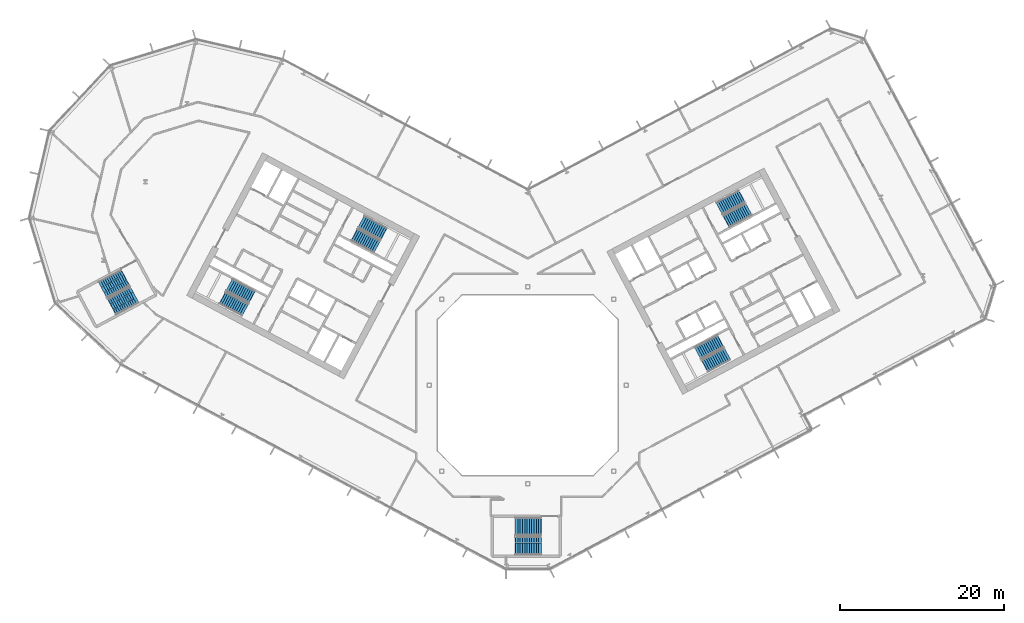
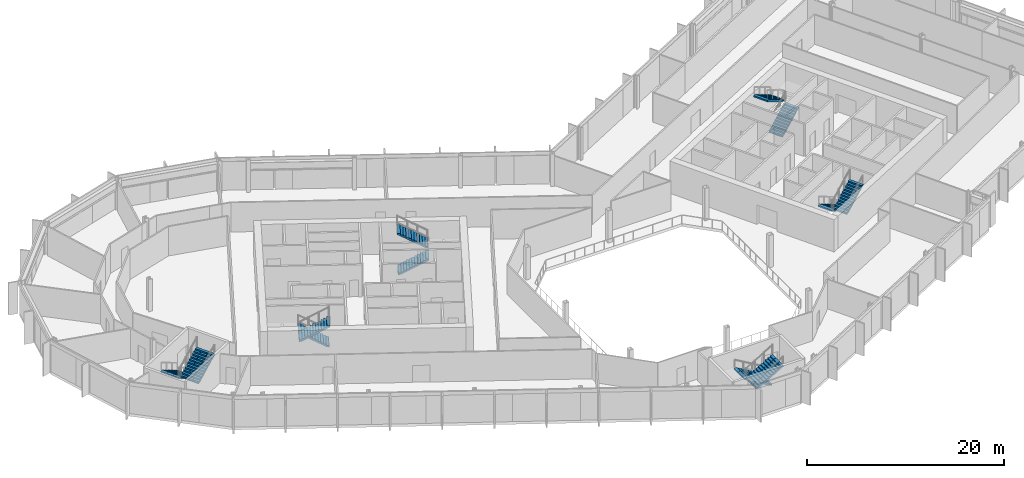
# One storey, part 18 of 28: 12 stair flights, 6 elements without a shape of their own.
"""IFC4 building model written with IfcOpenShell, lengths in metres."""

from ifc_helpers import new_model, si_unit, direction, frame, origin, place, context, subcontext, project, spatial, polyline, outline, extrude, material, type_object, element, aggregate, save


model = new_model("IFC4")

# Units and contexts
model_context = context("Model", 3, precision=1e-05, world=origin(), true_north=direction((0.0, 1.0)))
body_context = subcontext(model_context, "Body", "Model", "MODEL_VIEW")
ifc_project = project(units=[si_unit("LENGTHUNIT", "METRE"), si_unit("AREAUNIT", "SQUARE_METRE"), si_unit("VOLUMEUNIT", "CUBIC_METRE"), si_unit("PLANEANGLEUNIT", "RADIAN"), si_unit("MASSUNIT", "GRAM", prefix="KILO")], contexts=[model_context])

# Site, building, storey
site_placement = place(None, origin())
site = spatial("IfcSite", under=ifc_project, at=site_placement, CompositionType="ELEMENT")
building_placement = place(site_placement, origin())
building = spatial("IfcBuilding", under=site, at=building_placement, Name="Cormorant Relay Tower", CompositionType="ELEMENT")
storey_placement = place(building_placement, frame((0.0, 0.0, 142.199951171875)))
storey = spatial("IfcBuildingStorey", under=building, at=storey_placement, Name="L29", CompositionType="ELEMENT", Elevation=142.199951171875)

# Stair, stair flights
ifc_material_1 = material(Name="Concrete 40 MPa", Category="concrete")
stair_type_1 = type_object("IfcStairType", Name="Exit stair 1500", PredefinedType="HALF_TURN_STAIR", material=ifc_material_1)
stair_1_placement = place(storey_placement, origin())
stair_1 = element("IfcStair", 1, at=stair_1_placement, inside=storey, type_object=stair_type_1, Name="L29 Stair", PredefinedType="HALF_TURN_STAIR")
ifc_material_2 = material(Name="Concrete 40 MPa", Category="concrete")
stair_flight_type_1 = type_object("IfcStairFlightType", Name="Exit stair flight 1650", PredefinedType="STRAIGHT", material=ifc_material_2)
stair_flight_1_placement = place(storey_placement, frame((-21.114501953125, 18.33349609375, 0.0), z_axis=(0.0, 0.0, 1.0), x_axis=(0.882947592859, -0.469471562786, 0.0)))
stair_flight_1 = element("IfcStairFlight", 2, at=stair_flight_1_placement, type_object=stair_flight_type_1, Name="A1 flight 1", NumberOfRisers=12, NumberOfTreads=11, PredefinedType="STRAIGHT", RiserHeight=0.166666667, TreadLength=0.28, context=body_context, shape_type="SweptSolid", body=[
    extrude(outline(polyline([(-0.050048828125, -0.080078125), (-0.050048828125, 0.0), (0.0, 0.0), (0.0, 0.166748046875), (0.280029296875, 0.166748046875), (0.280029296875, 0.333251953125), (0.56005859375, 0.333251953125), (0.56005859375, 0.5), (0.840087890625, 0.5), (0.840087890625, 0.666748046875), (1.1201171875, 0.666748046875), (1.1201171875, 0.833251953125), (1.39990234375, 0.833251953125), (1.39990234375, 1.0), (1.679931640625, 1.0), (1.679931640625, 1.166748046875), (1.9599609375, 1.166748046875), (1.9599609375, 1.333251953125), (2.239990234375, 1.333251953125), (2.239990234375, 1.5), (2.52001953125, 1.5), (2.52001953125, 1.666748046875), (2.800048828125, 1.666748046875), (2.800048828125, 1.833251953125), (3.080078125, 1.833251953125), (3.130126953125, 1.833251953125), (3.130126953125, 1.658935546875), (3.080078125, 1.658935546875), (0.29296875, 0.0), (-0.050048828125, -0.080078125)])), frame((0.0, 0.824951171875, 0.0), z_axis=(0.0, -1.0, 0.0), x_axis=(1.0, 0.0, 0.0)), (0.0, 0.0, 1.0), 1.64990234375),
])
stair_flight_2_placement = place(storey_placement, frame((-17.5498046875, 18.47705078125, 2.0), z_axis=(0.0, 0.0, 1.0), x_axis=(-0.882947592859, 0.469471562786, 0.0)))
stair_flight_2 = element("IfcStairFlight", 3, at=stair_flight_2_placement, type_object=stair_flight_type_1, Name="A1 flight 2", NumberOfRisers=12, NumberOfTreads=11, PredefinedType="STRAIGHT", RiserHeight=0.166666667, TreadLength=0.28, context=body_context, shape_type="SweptSolid", body=[
    extrude(outline(polyline([(-0.050048828125, -0.080078125), (-0.050048828125, 0.0), (0.0, 0.0), (0.0, 0.166748046875), (0.280029296875, 0.166748046875), (0.280029296875, 0.333251953125), (0.56005859375, 0.333251953125), (0.56005859375, 0.5), (0.840087890625, 0.5), (0.840087890625, 0.666748046875), (1.1201171875, 0.666748046875), (1.1201171875, 0.833251953125), (1.39990234375, 0.833251953125), (1.39990234375, 1.0), (1.679931640625, 1.0), (1.679931640625, 1.166748046875), (1.9599609375, 1.166748046875), (1.9599609375, 1.333251953125), (2.239990234375, 1.333251953125), (2.239990234375, 1.5), (2.52001953125, 1.5), (2.52001953125, 1.666748046875), (2.800048828125, 1.666748046875), (2.800048828125, 1.833251953125), (3.080078125, 1.833251953125), (3.130126953125, 1.833251953125), (3.130126953125, 1.658935546875), (3.080078125, 1.658935546875), (0.29296875, 0.0), (-0.050048828125, -0.080078125)])), frame((0.0, 0.824951171875, 0.0), z_axis=(0.0, -1.0, 0.0), x_axis=(1.0, 0.0, 0.0)), (0.0, 0.0, 1.0), 1.64990234375),
])
aggregate(stair_1, [stair_flight_1, stair_flight_2])

stair_2_placement = place(storey_placement, origin())
stair_2 = element("IfcStair", 4, at=stair_2_placement, inside=storey, type_object=stair_type_1, Name="L29 Stair", PredefinedType="HALF_TURN_STAIR")
stair_flight_3_placement = place(storey_placement, frame((-33.62841796875, 10.773681640625, 0.0), z_axis=(0.0, 0.0, 1.0), x_axis=(-0.882947592859, 0.469471562786, 0.0)))
stair_flight_3 = element("IfcStairFlight", 5, at=stair_flight_3_placement, type_object=stair_flight_type_1, Name="A2 flight 1", NumberOfRisers=12, NumberOfTreads=11, PredefinedType="STRAIGHT", RiserHeight=0.166666667, TreadLength=0.28, context=body_context, shape_type="SweptSolid", body=[
    extrude(outline(polyline([(-0.050048828125, -0.080078125), (-0.050048828125, 0.0), (0.0, 0.0), (0.0, 0.166748046875), (0.280029296875, 0.166748046875), (0.280029296875, 0.333251953125), (0.56005859375, 0.333251953125), (0.56005859375, 0.5), (0.840087890625, 0.5), (0.840087890625, 0.666748046875), (1.1201171875, 0.666748046875), (1.1201171875, 0.833251953125), (1.39990234375, 0.833251953125), (1.39990234375, 1.0), (1.679931640625, 1.0), (1.679931640625, 1.166748046875), (1.9599609375, 1.166748046875), (1.9599609375, 1.333251953125), (2.239990234375, 1.333251953125), (2.239990234375, 1.5), (2.52001953125, 1.5), (2.52001953125, 1.666748046875), (2.800048828125, 1.666748046875), (2.800048828125, 1.833251953125), (3.080078125, 1.833251953125), (3.130126953125, 1.833251953125), (3.130126953125, 1.658935546875), (3.080078125, 1.658935546875), (0.29296875, 0.0), (-0.050048828125, -0.080078125)])), frame((0.0, 0.824951171875, 0.0), z_axis=(0.0, -1.0, 0.0), x_axis=(1.0, 0.0, 0.0)), (0.0, 0.0, 1.0), 1.64990234375),
])
stair_flight_4_placement = place(storey_placement, frame((-37.19287109375, 10.63037109375, 2.0), z_axis=(0.0, 0.0, 1.0), x_axis=(0.882947592859, -0.469471562786, 0.0)))
stair_flight_4 = element("IfcStairFlight", 6, at=stair_flight_4_placement, type_object=stair_flight_type_1, Name="A2 flight 2", NumberOfRisers=12, NumberOfTreads=11, PredefinedType="STRAIGHT", RiserHeight=0.166666667, TreadLength=0.28, context=body_context, shape_type="SweptSolid", body=[
    extrude(outline(polyline([(-0.050048828125, -0.080078125), (-0.050048828125, 0.0), (0.0, 0.0), (0.0, 0.166748046875), (0.280029296875, 0.166748046875), (0.280029296875, 0.333251953125), (0.56005859375, 0.333251953125), (0.56005859375, 0.5), (0.840087890625, 0.5), (0.840087890625, 0.666748046875), (1.1201171875, 0.666748046875), (1.1201171875, 0.833251953125), (1.39990234375, 0.833251953125), (1.39990234375, 1.0), (1.679931640625, 1.0), (1.679931640625, 1.166748046875), (1.9599609375, 1.166748046875), (1.9599609375, 1.333251953125), (2.239990234375, 1.333251953125), (2.239990234375, 1.5), (2.52001953125, 1.5), (2.52001953125, 1.666748046875), (2.800048828125, 1.666748046875), (2.800048828125, 1.833251953125), (3.080078125, 1.833251953125), (3.130126953125, 1.833251953125), (3.130126953125, 1.658935546875), (3.080078125, 1.658935546875), (0.29296875, 0.0), (-0.050048828125, -0.080078125)])), frame((0.0, 0.824951171875, 0.0), z_axis=(0.0, -1.0, 0.0), x_axis=(1.0, 0.0, 0.0)), (0.0, 0.0, 1.0), 1.64990234375),
])
aggregate(stair_2, [stair_flight_3, stair_flight_4])

stair_3_placement = place(storey_placement, origin())
stair_3 = element("IfcStair", 7, at=stair_3_placement, inside=storey, type_object=stair_type_1, Name="L29 Stair", PredefinedType="HALF_TURN_STAIR")
stair_flight_5_placement = place(storey_placement, frame((23.474365234375, 5.374755859375, 0.0), z_axis=(0.0, 0.0, 1.0), x_axis=(-0.882947592859, -0.469471562786, 0.0)))
stair_flight_5 = element("IfcStairFlight", 8, at=stair_flight_5_placement, type_object=stair_flight_type_1, Name="B1 flight 1", NumberOfRisers=12, NumberOfTreads=11, PredefinedType="STRAIGHT", RiserHeight=0.166666667, TreadLength=0.28, context=body_context, shape_type="SweptSolid", body=[
    extrude(outline(polyline([(-0.050048828125, -0.080078125), (-0.050048828125, 0.0), (0.0, 0.0), (0.0, 0.166748046875), (0.280029296875, 0.166748046875), (0.280029296875, 0.333251953125), (0.56005859375, 0.333251953125), (0.56005859375, 0.5), (0.840087890625, 0.5), (0.840087890625, 0.666748046875), (1.1201171875, 0.666748046875), (1.1201171875, 0.833251953125), (1.39990234375, 0.833251953125), (1.39990234375, 1.0), (1.679931640625, 1.0), (1.679931640625, 1.166748046875), (1.9599609375, 1.166748046875), (1.9599609375, 1.333251953125), (2.239990234375, 1.333251953125), (2.239990234375, 1.5), (2.52001953125, 1.5), (2.52001953125, 1.666748046875), (2.800048828125, 1.666748046875), (2.800048828125, 1.833251953125), (3.080078125, 1.833251953125), (3.130126953125, 1.833251953125), (3.130126953125, 1.658935546875), (3.080078125, 1.658935546875), (0.29296875, 0.0), (-0.050048828125, -0.080078125)])), frame((0.0, 0.824951171875, 0.0), z_axis=(0.0, -1.0, 0.0), x_axis=(1.0, 0.0, 0.0)), (0.0, 0.0, 1.0), 1.64990234375),
])
stair_flight_6_placement = place(storey_placement, frame((21.60009765625, 2.33935546875, 2.0), z_axis=(0.0, 0.0, 1.0), x_axis=(0.882947592859, 0.469471562786, 0.0)))
stair_flight_6 = element("IfcStairFlight", 9, at=stair_flight_6_placement, type_object=stair_flight_type_1, Name="B1 flight 2", NumberOfRisers=12, NumberOfTreads=11, PredefinedType="STRAIGHT", RiserHeight=0.166666667, TreadLength=0.28, context=body_context, shape_type="SweptSolid", body=[
    extrude(outline(polyline([(-0.050048828125, -0.080078125), (-0.050048828125, 0.0), (0.0, 0.0), (0.0, 0.166748046875), (0.280029296875, 0.166748046875), (0.280029296875, 0.333251953125), (0.56005859375, 0.333251953125), (0.56005859375, 0.5), (0.840087890625, 0.5), (0.840087890625, 0.666748046875), (1.1201171875, 0.666748046875), (1.1201171875, 0.833251953125), (1.39990234375, 0.833251953125), (1.39990234375, 1.0), (1.679931640625, 1.0), (1.679931640625, 1.166748046875), (1.9599609375, 1.166748046875), (1.9599609375, 1.333251953125), (2.239990234375, 1.333251953125), (2.239990234375, 1.5), (2.52001953125, 1.5), (2.52001953125, 1.666748046875), (2.800048828125, 1.666748046875), (2.800048828125, 1.833251953125), (3.080078125, 1.833251953125), (3.130126953125, 1.833251953125), (3.130126953125, 1.658935546875), (3.080078125, 1.658935546875), (0.29296875, 0.0), (-0.050048828125, -0.080078125)])), frame((0.0, 0.824951171875, 0.0), z_axis=(0.0, -1.0, 0.0), x_axis=(1.0, 0.0, 0.0)), (0.0, 0.0, 1.0), 1.64990234375),
])
aggregate(stair_3, [stair_flight_5, stair_flight_6])

stair_4_placement = place(storey_placement, origin())
stair_4 = element("IfcStair", 10, at=stair_4_placement, inside=storey, type_object=stair_type_1, Name="L29 Stair", PredefinedType="HALF_TURN_STAIR")
stair_flight_7_placement = place(storey_placement, frame((24.20458984375, 19.976806640625, 0.0), z_axis=(0.0, 0.0, 1.0), x_axis=(0.882947592859, 0.469471562786, 0.0)))
stair_flight_7 = element("IfcStairFlight", 11, at=stair_flight_7_placement, type_object=stair_flight_type_1, Name="B2 flight 1", NumberOfRisers=12, NumberOfTreads=11, PredefinedType="STRAIGHT", RiserHeight=0.166666667, TreadLength=0.28, context=body_context, shape_type="SweptSolid", body=[
    extrude(outline(polyline([(-0.050048828125, -0.080078125), (-0.050048828125, 0.0), (0.0, 0.0), (0.0, 0.166748046875), (0.280029296875, 0.166748046875), (0.280029296875, 0.333251953125), (0.56005859375, 0.333251953125), (0.56005859375, 0.5), (0.840087890625, 0.5), (0.840087890625, 0.666748046875), (1.1201171875, 0.666748046875), (1.1201171875, 0.833251953125), (1.39990234375, 0.833251953125), (1.39990234375, 1.0), (1.679931640625, 1.0), (1.679931640625, 1.166748046875), (1.9599609375, 1.166748046875), (1.9599609375, 1.333251953125), (2.239990234375, 1.333251953125), (2.239990234375, 1.5), (2.52001953125, 1.5), (2.52001953125, 1.666748046875), (2.800048828125, 1.666748046875), (2.800048828125, 1.833251953125), (3.080078125, 1.833251953125), (3.130126953125, 1.833251953125), (3.130126953125, 1.658935546875), (3.080078125, 1.658935546875), (0.29296875, 0.0), (-0.050048828125, -0.080078125)])), frame((0.0, 0.824951171875, 0.0), z_axis=(0.0, -1.0, 0.0), x_axis=(1.0, 0.0, 0.0)), (0.0, 0.0, 1.0), 1.64990234375),
])
stair_flight_8_placement = place(storey_placement, frame((26.0791015625, 23.011962890625, 2.0), z_axis=(0.0, 0.0, 1.0), x_axis=(-0.882947592859, -0.469471562786, 0.0)))
stair_flight_8 = element("IfcStairFlight", 12, at=stair_flight_8_placement, type_object=stair_flight_type_1, Name="B2 flight 2", NumberOfRisers=12, NumberOfTreads=11, PredefinedType="STRAIGHT", RiserHeight=0.166666667, TreadLength=0.28, context=body_context, shape_type="SweptSolid", body=[
    extrude(outline(polyline([(-0.050048828125, -0.080078125), (-0.050048828125, 0.0), (0.0, 0.0), (0.0, 0.166748046875), (0.280029296875, 0.166748046875), (0.280029296875, 0.333251953125), (0.56005859375, 0.333251953125), (0.56005859375, 0.5), (0.840087890625, 0.5), (0.840087890625, 0.666748046875), (1.1201171875, 0.666748046875), (1.1201171875, 0.833251953125), (1.39990234375, 0.833251953125), (1.39990234375, 1.0), (1.679931640625, 1.0), (1.679931640625, 1.166748046875), (1.9599609375, 1.166748046875), (1.9599609375, 1.333251953125), (2.239990234375, 1.333251953125), (2.239990234375, 1.5), (2.52001953125, 1.5), (2.52001953125, 1.666748046875), (2.800048828125, 1.666748046875), (2.800048828125, 1.833251953125), (3.080078125, 1.833251953125), (3.130126953125, 1.833251953125), (3.130126953125, 1.658935546875), (3.080078125, 1.658935546875), (0.29296875, 0.0), (-0.050048828125, -0.080078125)])), frame((0.0, 0.824951171875, 0.0), z_axis=(0.0, -1.0, 0.0), x_axis=(1.0, 0.0, 0.0)), (0.0, 0.0, 1.0), 1.64990234375),
])
aggregate(stair_4, [stair_flight_7, stair_flight_8])

ifc_material_3 = material(Name="Concrete 40 MPa", Category="concrete")
stair_type_2 = type_object("IfcStairType", Name="Remote exit stair 2200", PredefinedType="HALF_TURN_STAIR", material=ifc_material_3)
stair_5_placement = place(storey_placement, origin())
stair_5 = element("IfcStair", 13, at=stair_5_placement, inside=storey, type_object=stair_type_2, Name="L29 Stair", PredefinedType="HALF_TURN_STAIR")
ifc_material_4 = material(Name="Concrete 40 MPa", Category="concrete")
stair_flight_type_2 = type_object("IfcStairFlightType", Name="Remote exit stair flight 2200", PredefinedType="STRAIGHT", material=ifc_material_4)
stair_flight_9_placement = place(storey_placement, frame((1.60009765625, -17.22509765625, 0.0), z_axis=(0.0, 0.0, 1.0), x_axis=(-1.0, 0.0, 0.0)))
stair_flight_9 = element("IfcStairFlight", 14, at=stair_flight_9_placement, type_object=stair_flight_type_2, Name="RK1 flight 1", NumberOfRisers=12, NumberOfTreads=11, PredefinedType="STRAIGHT", RiserHeight=0.166666667, TreadLength=0.28, context=body_context, shape_type="SweptSolid", body=[
    extrude(outline(polyline([(-0.050048828125, -0.080078125), (-0.050048828125, 0.0), (0.0, 0.0), (0.0, 0.166748046875), (0.280029296875, 0.166748046875), (0.280029296875, 0.333251953125), (0.56005859375, 0.333251953125), (0.56005859375, 0.5), (0.840087890625, 0.5), (0.840087890625, 0.666748046875), (1.1201171875, 0.666748046875), (1.1201171875, 0.833251953125), (1.39990234375, 0.833251953125), (1.39990234375, 1.0), (1.679931640625, 1.0), (1.679931640625, 1.166748046875), (1.9599609375, 1.166748046875), (1.9599609375, 1.333251953125), (2.239990234375, 1.333251953125), (2.239990234375, 1.5), (2.52001953125, 1.5), (2.52001953125, 1.666748046875), (2.800048828125, 1.666748046875), (2.800048828125, 1.833251953125), (3.080078125, 1.833251953125), (3.130126953125, 1.833251953125), (3.130126953125, 1.658935546875), (3.080078125, 1.658935546875), (0.29296875, 0.0), (-0.050048828125, -0.080078125)])), frame((0.0, 1.10009765625, 0.0), z_axis=(0.0, -1.0, 0.0), x_axis=(1.0, 0.0, 0.0)), (0.0, 0.0, 1.0), 0.719970703125),
    extrude(outline(polyline([(-0.050048828125, -0.080078125), (-0.050048828125, 0.0), (0.0, 0.0), (0.0, 0.166748046875), (0.280029296875, 0.166748046875), (0.280029296875, 0.333251953125), (0.56005859375, 0.333251953125), (0.56005859375, 0.5), (0.840087890625, 0.5), (0.840087890625, 0.666748046875), (1.1201171875, 0.666748046875), (1.1201171875, 0.833251953125), (1.39990234375, 0.833251953125), (1.39990234375, 1.0), (1.679931640625, 1.0), (1.679931640625, 1.166748046875), (1.9599609375, 1.166748046875), (1.9599609375, 1.333251953125), (2.239990234375, 1.333251953125), (2.239990234375, 1.5), (2.52001953125, 1.5), (2.52001953125, 1.666748046875), (2.800048828125, 1.666748046875), (2.800048828125, 1.833251953125), (3.080078125, 1.833251953125), (3.130126953125, 1.833251953125), (3.130126953125, 1.658935546875), (3.080078125, 1.658935546875), (0.29296875, 0.0), (-0.050048828125, -0.080078125)])), frame((0.0, 0.360107421875, 0.0), z_axis=(0.0, -1.0, 0.0), x_axis=(1.0, 0.0, 0.0)), (0.0, 0.0, 1.0), 0.719970703125),
    extrude(outline(polyline([(-0.050048828125, -0.080078125), (-0.050048828125, 0.0), (0.0, 0.0), (0.0, 0.166748046875), (0.280029296875, 0.166748046875), (0.280029296875, 0.333251953125), (0.56005859375, 0.333251953125), (0.56005859375, 0.5), (0.840087890625, 0.5), (0.840087890625, 0.666748046875), (1.1201171875, 0.666748046875), (1.1201171875, 0.833251953125), (1.39990234375, 0.833251953125), (1.39990234375, 1.0), (1.679931640625, 1.0), (1.679931640625, 1.166748046875), (1.9599609375, 1.166748046875), (1.9599609375, 1.333251953125), (2.239990234375, 1.333251953125), (2.239990234375, 1.5), (2.52001953125, 1.5), (2.52001953125, 1.666748046875), (2.800048828125, 1.666748046875), (2.800048828125, 1.833251953125), (3.080078125, 1.833251953125), (3.130126953125, 1.833251953125), (3.130126953125, 1.658935546875), (3.080078125, 1.658935546875), (0.29296875, 0.0), (-0.050048828125, -0.080078125)])), frame((0.0, -0.3798828125, 0.0), z_axis=(0.0, -1.0, 0.0), x_axis=(1.0, 0.0, 0.0)), (0.0, 0.0, 1.0), 0.719970703125),
])
stair_flight_10_placement = place(storey_placement, frame((-1.47998046875, -19.574951171875, 2.0), z_axis=(0.0, 0.0, 1.0), x_axis=(1.0, 0.0, 0.0)))
stair_flight_10 = element("IfcStairFlight", 15, at=stair_flight_10_placement, type_object=stair_flight_type_2, Name="RK1 flight 2", NumberOfRisers=12, NumberOfTreads=11, PredefinedType="STRAIGHT", RiserHeight=0.166666667, TreadLength=0.28, context=body_context, shape_type="SweptSolid", body=[
    extrude(outline(polyline([(-0.050048828125, -0.080078125), (-0.050048828125, 0.0), (0.0, 0.0), (0.0, 0.166748046875), (0.280029296875, 0.166748046875), (0.280029296875, 0.333251953125), (0.56005859375, 0.333251953125), (0.56005859375, 0.5), (0.840087890625, 0.5), (0.840087890625, 0.666748046875), (1.1201171875, 0.666748046875), (1.1201171875, 0.833251953125), (1.39990234375, 0.833251953125), (1.39990234375, 1.0), (1.679931640625, 1.0), (1.679931640625, 1.166748046875), (1.9599609375, 1.166748046875), (1.9599609375, 1.333251953125), (2.239990234375, 1.333251953125), (2.239990234375, 1.5), (2.52001953125, 1.5), (2.52001953125, 1.666748046875), (2.800048828125, 1.666748046875), (2.800048828125, 1.833251953125), (3.080078125, 1.833251953125), (3.130126953125, 1.833251953125), (3.130126953125, 1.658935546875), (3.080078125, 1.658935546875), (0.29296875, 0.0), (-0.050048828125, -0.080078125)])), frame((0.0, 1.10009765625, 0.0), z_axis=(0.0, -1.0, 0.0), x_axis=(1.0, 0.0, 0.0)), (0.0, 0.0, 1.0), 0.719970703125),
    extrude(outline(polyline([(-0.050048828125, -0.080078125), (-0.050048828125, 0.0), (0.0, 0.0), (0.0, 0.166748046875), (0.280029296875, 0.166748046875), (0.280029296875, 0.333251953125), (0.56005859375, 0.333251953125), (0.56005859375, 0.5), (0.840087890625, 0.5), (0.840087890625, 0.666748046875), (1.1201171875, 0.666748046875), (1.1201171875, 0.833251953125), (1.39990234375, 0.833251953125), (1.39990234375, 1.0), (1.679931640625, 1.0), (1.679931640625, 1.166748046875), (1.9599609375, 1.166748046875), (1.9599609375, 1.333251953125), (2.239990234375, 1.333251953125), (2.239990234375, 1.5), (2.52001953125, 1.5), (2.52001953125, 1.666748046875), (2.800048828125, 1.666748046875), (2.800048828125, 1.833251953125), (3.080078125, 1.833251953125), (3.130126953125, 1.833251953125), (3.130126953125, 1.658935546875), (3.080078125, 1.658935546875), (0.29296875, 0.0), (-0.050048828125, -0.080078125)])), frame((0.0, 0.360107421875, 0.0), z_axis=(0.0, -1.0, 0.0), x_axis=(1.0, 0.0, 0.0)), (0.0, 0.0, 1.0), 0.719970703125),
    extrude(outline(polyline([(-0.050048828125, -0.080078125), (-0.050048828125, 0.0), (0.0, 0.0), (0.0, 0.166748046875), (0.280029296875, 0.166748046875), (0.280029296875, 0.333251953125), (0.56005859375, 0.333251953125), (0.56005859375, 0.5), (0.840087890625, 0.5), (0.840087890625, 0.666748046875), (1.1201171875, 0.666748046875), (1.1201171875, 0.833251953125), (1.39990234375, 0.833251953125), (1.39990234375, 1.0), (1.679931640625, 1.0), (1.679931640625, 1.166748046875), (1.9599609375, 1.166748046875), (1.9599609375, 1.333251953125), (2.239990234375, 1.333251953125), (2.239990234375, 1.5), (2.52001953125, 1.5), (2.52001953125, 1.666748046875), (2.800048828125, 1.666748046875), (2.800048828125, 1.833251953125), (3.080078125, 1.833251953125), (3.130126953125, 1.833251953125), (3.130126953125, 1.658935546875), (3.080078125, 1.658935546875), (0.29296875, 0.0), (-0.050048828125, -0.080078125)])), frame((0.0, -0.3798828125, 0.0), z_axis=(0.0, -1.0, 0.0), x_axis=(1.0, 0.0, 0.0)), (0.0, 0.0, 1.0), 0.719970703125),
])
aggregate(stair_5, [stair_flight_9, stair_flight_10])

stair_6_placement = place(storey_placement, origin())
stair_6 = element("IfcStair", 16, at=stair_6_placement, inside=storey, type_object=stair_type_2, Name="L29 Stair", PredefinedType="HALF_TURN_STAIR")
stair_flight_11_placement = place(storey_placement, frame((-49.062255859375, 13.08251953125, 0.0), z_axis=(0.0, 0.0, 1.0), x_axis=(-0.882947502727, -0.4694717323, 0.0)))
stair_flight_11 = element("IfcStairFlight", 17, at=stair_flight_11_placement, type_object=stair_flight_type_2, Name="RP1 flight 1", NumberOfRisers=12, NumberOfTreads=11, PredefinedType="STRAIGHT", RiserHeight=0.166666667, TreadLength=0.28, context=body_context, shape_type="SweptSolid", body=[
    extrude(outline(polyline([(-0.050048828125, -0.080078125), (-0.050048828125, 0.0), (0.0, 0.0), (0.0, 0.166748046875), (0.280029296875, 0.166748046875), (0.280029296875, 0.333251953125), (0.56005859375, 0.333251953125), (0.56005859375, 0.5), (0.840087890625, 0.5), (0.840087890625, 0.666748046875), (1.1201171875, 0.666748046875), (1.1201171875, 0.833251953125), (1.39990234375, 0.833251953125), (1.39990234375, 1.0), (1.679931640625, 1.0), (1.679931640625, 1.166748046875), (1.9599609375, 1.166748046875), (1.9599609375, 1.333251953125), (2.239990234375, 1.333251953125), (2.239990234375, 1.5), (2.52001953125, 1.5), (2.52001953125, 1.666748046875), (2.800048828125, 1.666748046875), (2.800048828125, 1.833251953125), (3.080078125, 1.833251953125), (3.130126953125, 1.833251953125), (3.130126953125, 1.658935546875), (3.080078125, 1.658935546875), (0.29296875, 0.0), (-0.050048828125, -0.080078125)])), frame((0.0, 1.10009765625, 0.0), z_axis=(0.0, -1.0, 0.0), x_axis=(1.0, 0.0, 0.0)), (0.0, 0.0, 1.0), 0.719970703125),
    extrude(outline(polyline([(-0.050048828125, -0.080078125), (-0.050048828125, 0.0), (0.0, 0.0), (0.0, 0.166748046875), (0.280029296875, 0.166748046875), (0.280029296875, 0.333251953125), (0.56005859375, 0.333251953125), (0.56005859375, 0.5), (0.840087890625, 0.5), (0.840087890625, 0.666748046875), (1.1201171875, 0.666748046875), (1.1201171875, 0.833251953125), (1.39990234375, 0.833251953125), (1.39990234375, 1.0), (1.679931640625, 1.0), (1.679931640625, 1.166748046875), (1.9599609375, 1.166748046875), (1.9599609375, 1.333251953125), (2.239990234375, 1.333251953125), (2.239990234375, 1.5), (2.52001953125, 1.5), (2.52001953125, 1.666748046875), (2.800048828125, 1.666748046875), (2.800048828125, 1.833251953125), (3.080078125, 1.833251953125), (3.130126953125, 1.833251953125), (3.130126953125, 1.658935546875), (3.080078125, 1.658935546875), (0.29296875, 0.0), (-0.050048828125, -0.080078125)])), frame((0.0, 0.360107421875, 0.0), z_axis=(0.0, -1.0, 0.0), x_axis=(1.0, 0.0, 0.0)), (0.0, 0.0, 1.0), 0.719970703125),
    extrude(outline(polyline([(-0.050048828125, -0.080078125), (-0.050048828125, 0.0), (0.0, 0.0), (0.0, 0.166748046875), (0.280029296875, 0.166748046875), (0.280029296875, 0.333251953125), (0.56005859375, 0.333251953125), (0.56005859375, 0.5), (0.840087890625, 0.5), (0.840087890625, 0.666748046875), (1.1201171875, 0.666748046875), (1.1201171875, 0.833251953125), (1.39990234375, 0.833251953125), (1.39990234375, 1.0), (1.679931640625, 1.0), (1.679931640625, 1.166748046875), (1.9599609375, 1.166748046875), (1.9599609375, 1.333251953125), (2.239990234375, 1.333251953125), (2.239990234375, 1.5), (2.52001953125, 1.5), (2.52001953125, 1.666748046875), (2.800048828125, 1.666748046875), (2.800048828125, 1.833251953125), (3.080078125, 1.833251953125), (3.130126953125, 1.833251953125), (3.130126953125, 1.658935546875), (3.080078125, 1.658935546875), (0.29296875, 0.0), (-0.050048828125, -0.080078125)])), frame((0.0, -0.3798828125, 0.0), z_axis=(0.0, -1.0, 0.0), x_axis=(1.0, 0.0, 0.0)), (0.0, 0.0, 1.0), 0.719970703125),
])
stair_flight_12_placement = place(storey_placement, frame((-50.678466796875, 9.5615234375, 2.0), z_axis=(0.0, 0.0, 1.0), x_axis=(0.882947502727, 0.4694717323, 0.0)))
stair_flight_12 = element("IfcStairFlight", 18, at=stair_flight_12_placement, type_object=stair_flight_type_2, Name="RP1 flight 2", NumberOfRisers=12, NumberOfTreads=11, PredefinedType="STRAIGHT", RiserHeight=0.166666667, TreadLength=0.28, context=body_context, shape_type="SweptSolid", body=[
    extrude(outline(polyline([(-0.050048828125, -0.080078125), (-0.050048828125, 0.0), (0.0, 0.0), (0.0, 0.166748046875), (0.280029296875, 0.166748046875), (0.280029296875, 0.333251953125), (0.56005859375, 0.333251953125), (0.56005859375, 0.5), (0.840087890625, 0.5), (0.840087890625, 0.666748046875), (1.1201171875, 0.666748046875), (1.1201171875, 0.833251953125), (1.39990234375, 0.833251953125), (1.39990234375, 1.0), (1.679931640625, 1.0), (1.679931640625, 1.166748046875), (1.9599609375, 1.166748046875), (1.9599609375, 1.333251953125), (2.239990234375, 1.333251953125), (2.239990234375, 1.5), (2.52001953125, 1.5), (2.52001953125, 1.666748046875), (2.800048828125, 1.666748046875), (2.800048828125, 1.833251953125), (3.080078125, 1.833251953125), (3.130126953125, 1.833251953125), (3.130126953125, 1.658935546875), (3.080078125, 1.658935546875), (0.29296875, 0.0), (-0.050048828125, -0.080078125)])), frame((0.0, 1.10009765625, 0.0), z_axis=(0.0, -1.0, 0.0), x_axis=(1.0, 0.0, 0.0)), (0.0, 0.0, 1.0), 0.719970703125),
    extrude(outline(polyline([(-0.050048828125, -0.080078125), (-0.050048828125, 0.0), (0.0, 0.0), (0.0, 0.166748046875), (0.280029296875, 0.166748046875), (0.280029296875, 0.333251953125), (0.56005859375, 0.333251953125), (0.56005859375, 0.5), (0.840087890625, 0.5), (0.840087890625, 0.666748046875), (1.1201171875, 0.666748046875), (1.1201171875, 0.833251953125), (1.39990234375, 0.833251953125), (1.39990234375, 1.0), (1.679931640625, 1.0), (1.679931640625, 1.166748046875), (1.9599609375, 1.166748046875), (1.9599609375, 1.333251953125), (2.239990234375, 1.333251953125), (2.239990234375, 1.5), (2.52001953125, 1.5), (2.52001953125, 1.666748046875), (2.800048828125, 1.666748046875), (2.800048828125, 1.833251953125), (3.080078125, 1.833251953125), (3.130126953125, 1.833251953125), (3.130126953125, 1.658935546875), (3.080078125, 1.658935546875), (0.29296875, 0.0), (-0.050048828125, -0.080078125)])), frame((0.0, 0.360107421875, 0.0), z_axis=(0.0, -1.0, 0.0), x_axis=(1.0, 0.0, 0.0)), (0.0, 0.0, 1.0), 0.719970703125),
    extrude(outline(polyline([(-0.050048828125, -0.080078125), (-0.050048828125, 0.0), (0.0, 0.0), (0.0, 0.166748046875), (0.280029296875, 0.166748046875), (0.280029296875, 0.333251953125), (0.56005859375, 0.333251953125), (0.56005859375, 0.5), (0.840087890625, 0.5), (0.840087890625, 0.666748046875), (1.1201171875, 0.666748046875), (1.1201171875, 0.833251953125), (1.39990234375, 0.833251953125), (1.39990234375, 1.0), (1.679931640625, 1.0), (1.679931640625, 1.166748046875), (1.9599609375, 1.166748046875), (1.9599609375, 1.333251953125), (2.239990234375, 1.333251953125), (2.239990234375, 1.5), (2.52001953125, 1.5), (2.52001953125, 1.666748046875), (2.800048828125, 1.666748046875), (2.800048828125, 1.833251953125), (3.080078125, 1.833251953125), (3.130126953125, 1.833251953125), (3.130126953125, 1.658935546875), (3.080078125, 1.658935546875), (0.29296875, 0.0), (-0.050048828125, -0.080078125)])), frame((0.0, -0.3798828125, 0.0), z_axis=(0.0, -1.0, 0.0), x_axis=(1.0, 0.0, 0.0)), (0.0, 0.0, 1.0), 0.719970703125),
])
aggregate(stair_6, [stair_flight_11, stair_flight_12])

save(model, "model.ifc")
